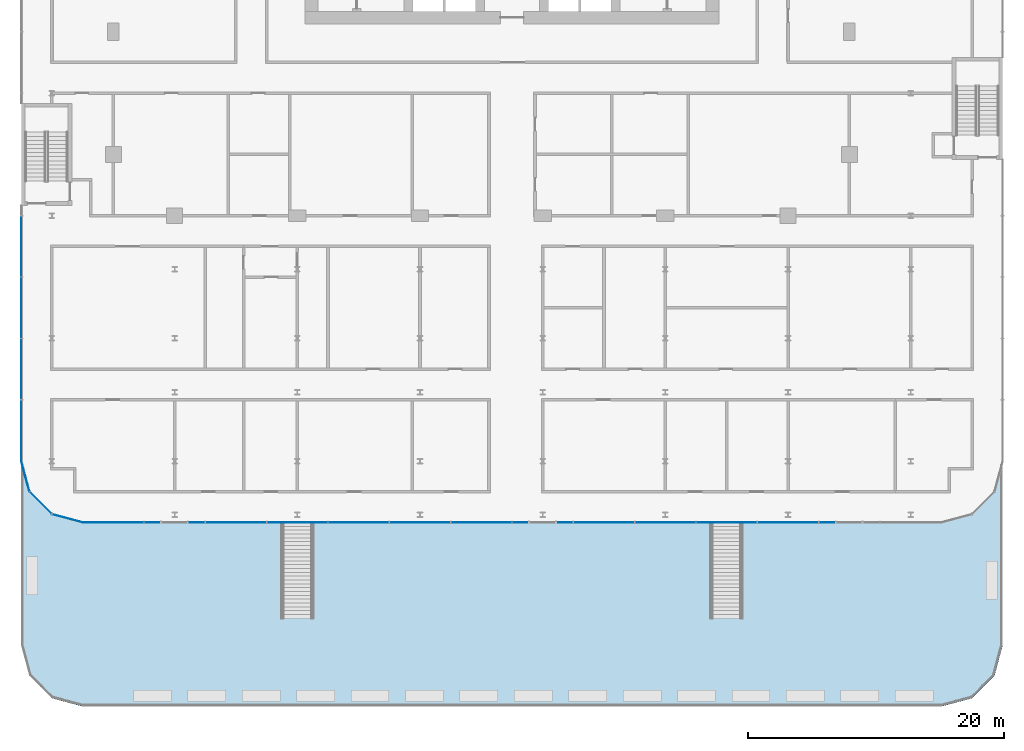
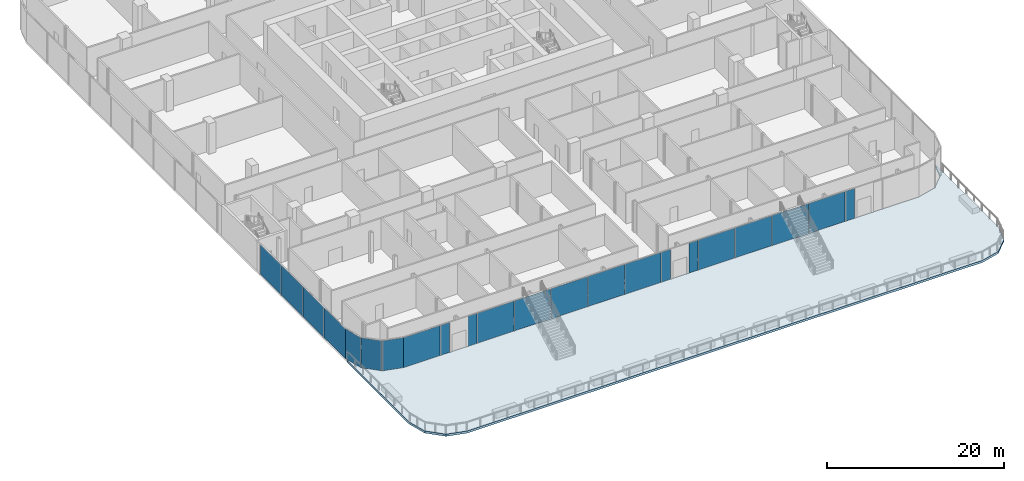
# One storey, part 22 of 43: 22 plates, 1 slab, 3 elements without a shape of their own.
"""IFC4 building model written with IfcOpenShell, lengths in metres."""

from ifc_helpers import new_model, si_unit, direction, frame, origin, origin_2d, place, context, subcontext, project, spatial, polyline, rectangle, outline, extrude, material, layer, layer_set, type_object, element, aggregate, save


model = new_model("IFC4")

# Units and contexts
model_context = context("Model", 3, precision=1e-05, world=origin(), true_north=direction((0.0, 1.0)))
body_context = subcontext(model_context, "Body", "Model", "MODEL_VIEW")
ifc_project = project(units=[si_unit("LENGTHUNIT", "METRE"), si_unit("AREAUNIT", "SQUARE_METRE"), si_unit("VOLUMEUNIT", "CUBIC_METRE"), si_unit("PLANEANGLEUNIT", "RADIAN"), si_unit("MASSUNIT", "GRAM", prefix="KILO")], contexts=[model_context])

# Site, building, storey
site_placement = place(None, origin())
site = spatial("IfcSite", under=ifc_project, at=site_placement, CompositionType="ELEMENT")
building_placement = place(site_placement, origin())
building = spatial("IfcBuilding", under=site, at=building_placement, Name="Madar Terraces", CompositionType="ELEMENT")
storey_placement = place(building_placement, frame((0.0, 0.0, 10.5)))
storey = spatial("IfcBuildingStorey", under=building, at=storey_placement, Name="L02", CompositionType="ELEMENT", Elevation=10.5)

# Curtain wall, plates
ifc_material_1 = material(Name="Glass, clear low-iron, with black aluminium frame", Category="aluminium")
ifc_layer_1 = layer(ifc_material_1, 0.199951171875)
ifc_layer_set_1 = layer_set([ifc_layer_1], Name="Facade curtain wall, shopfront glazing")
curtain_wall_type = type_object("IfcCurtainWallType", Name="Facade curtain wall, shopfront glazing", PredefinedType="NOTDEFINED", material=ifc_layer_set_1)
curtain_wall_1_placement = place(storey_placement, origin())
curtain_wall_1 = element("IfcCurtainWall", 1, at=curtain_wall_1_placement, inside=storey, type_object=curtain_wall_type, Name="Outer skin curtain wall south bay 1", PredefinedType="NOTDEFINED")
ifc_material_2 = material(Name="Glass, ceramic frit dark grey", Category="glass")
ifc_layer_2 = layer(ifc_material_2, 0.028076171875)
ifc_layer_set_2 = layer_set([ifc_layer_2], Name="Facade glass panel 28")
plate_type = type_object("IfcPlateType", Name="Facade glass panel 28", PredefinedType="CURTAIN_PANEL", material=ifc_layer_set_2)
plate_1_placement = place(storey_placement, frame((-0.014892578125, -24.0, 0.0), z_axis=(0.0, 0.0, 1.0), x_axis=(1.0, 0.0, 0.0)))
plate_1 = element("IfcPlate", 2, at=plate_1_placement, type_object=plate_type, Name="Panel 1", PredefinedType="CURTAIN_PANEL", context=body_context, shape_type="SweptSolid", body=[
    extrude(rectangle(XDim=4.77001953125, YDim=0.028076171875, at=origin_2d()), origin(), (0.0, 0.0, 1.0), 4.139892578125),
])
plate_2_placement = place(storey_placement, frame((3.014892578125, -24.0, 0.0), z_axis=(0.0, 0.0, 1.0), x_axis=(1.0, 0.0, 0.0)))
plate_2 = element("IfcPlate", 3, at=plate_2_placement, type_object=plate_type, Name="Panel 2", PredefinedType="CURTAIN_PANEL", context=body_context, shape_type="SweptSolid", body=[
    extrude(rectangle(XDim=1.169921875, YDim=0.028076171875, at=origin_2d()), origin(), (0.0, 0.0, 1.0), 4.139892578125),
])
plate_3_placement = place(storey_placement, frame((6.5849609375, -24.0, 0.0), z_axis=(0.0, 0.0, 1.0), x_axis=(1.0, 0.0, 0.0)))
plate_3 = element("IfcPlate", 4, at=plate_3_placement, type_object=plate_type, Name="Panel 3", PredefinedType="CURTAIN_PANEL", context=body_context, shape_type="SweptSolid", body=[
    extrude(rectangle(XDim=1.169921875, YDim=0.028076171875, at=origin_2d()), origin(), (0.0, 0.0, 1.0), 4.139892578125),
])
plate_4_placement = place(storey_placement, frame((9.60009765625, -24.0, 0.0), z_axis=(0.0, 0.0, 1.0), x_axis=(1.0, 0.0, 0.0)))
plate_4 = element("IfcPlate", 5, at=plate_4_placement, type_object=plate_type, Name="Panel 4", PredefinedType="CURTAIN_PANEL", context=body_context, shape_type="SweptSolid", body=[
    extrude(rectangle(XDim=4.739990234375, YDim=0.028076171875, at=origin_2d()), origin(), (0.0, 0.0, 1.0), 4.139892578125),
])
plate_5_placement = place(storey_placement, frame((14.39990234375, -24.0, 0.0), z_axis=(0.0, 0.0, 1.0), x_axis=(1.0, 0.0, 0.0)))
plate_5 = element("IfcPlate", 6, at=plate_5_placement, type_object=plate_type, Name="Panel 5", PredefinedType="CURTAIN_PANEL", context=body_context, shape_type="SweptSolid", body=[
    extrude(rectangle(XDim=4.739990234375, YDim=0.028076171875, at=origin_2d()), origin(), (0.0, 0.0, 1.0), 4.139892578125),
])
plate_6_placement = place(storey_placement, frame((19.199951171875, -24.0, 0.0), z_axis=(0.0, 0.0, 1.0), x_axis=(1.0, 0.0, 0.0)))
plate_6 = element("IfcPlate", 7, at=plate_6_placement, type_object=plate_type, Name="Panel 6", PredefinedType="CURTAIN_PANEL", context=body_context, shape_type="SweptSolid", body=[
    extrude(rectangle(XDim=4.739990234375, YDim=0.028076171875, at=origin_2d()), origin(), (0.0, 0.0, 1.0), 4.139892578125),
])
plate_7_placement = place(storey_placement, frame((24.0, -24.0, 0.0), z_axis=(0.0, 0.0, 1.0), x_axis=(1.0, 0.0, 0.0)))
plate_7 = element("IfcPlate", 8, at=plate_7_placement, type_object=plate_type, Name="Panel 7", PredefinedType="CURTAIN_PANEL", context=body_context, shape_type="SweptSolid", body=[
    extrude(rectangle(XDim=4.739990234375, YDim=0.028076171875, at=origin_2d()), origin(), (0.0, 0.0, 1.0), 4.139892578125),
])
plate_8_placement = place(storey_placement, frame((28.800048828125, -24.0, 0.0), z_axis=(0.0, 0.0, 1.0), x_axis=(1.0, 0.0, 0.0)))
plate_8 = element("IfcPlate", 9, at=plate_8_placement, type_object=plate_type, Name="Panel 8", PredefinedType="CURTAIN_PANEL", context=body_context, shape_type="SweptSolid", body=[
    extrude(rectangle(XDim=4.739990234375, YDim=0.028076171875, at=origin_2d()), origin(), (0.0, 0.0, 1.0), 4.139892578125),
])
plate_9_placement = place(storey_placement, frame((31.81494140625, -24.0, 0.0), z_axis=(0.0, 0.0, 1.0), x_axis=(1.0, 0.0, 0.0)))
plate_9 = element("IfcPlate", 10, at=plate_9_placement, type_object=plate_type, Name="Panel 9", PredefinedType="CURTAIN_PANEL", context=body_context, shape_type="SweptSolid", body=[
    extrude(rectangle(XDim=1.169921875, YDim=0.028076171875, at=origin_2d()), origin(), (0.0, 0.0, 1.0), 4.139892578125),
])
plate_10_placement = place(storey_placement, frame((35.385009765625, -24.0, 0.0), z_axis=(0.0, 0.0, 1.0), x_axis=(1.0, 0.0, 0.0)))
plate_10 = element("IfcPlate", 11, at=plate_10_placement, type_object=plate_type, Name="Panel 10", PredefinedType="CURTAIN_PANEL", context=body_context, shape_type="SweptSolid", body=[
    extrude(rectangle(XDim=1.169921875, YDim=0.028076171875, at=origin_2d()), origin(), (0.0, 0.0, 1.0), 4.139892578125),
])
plate_11_placement = place(storey_placement, frame((38.39990234375, -24.0, 0.0), z_axis=(0.0, 0.0, 1.0), x_axis=(1.0, 0.0, 0.0)))
plate_11 = element("IfcPlate", 12, at=plate_11_placement, type_object=plate_type, Name="Panel 11", PredefinedType="CURTAIN_PANEL", context=body_context, shape_type="SweptSolid", body=[
    extrude(rectangle(XDim=4.739990234375, YDim=0.028076171875, at=origin_2d()), origin(), (0.0, 0.0, 1.0), 4.139892578125),
])
plate_12_placement = place(storey_placement, frame((43.199951171875, -24.0, 0.0), z_axis=(0.0, 0.0, 1.0), x_axis=(1.0, 0.0, 0.0)))
plate_12 = element("IfcPlate", 13, at=plate_12_placement, type_object=plate_type, Name="Panel 12", PredefinedType="CURTAIN_PANEL", context=body_context, shape_type="SweptSolid", body=[
    extrude(rectangle(XDim=4.739990234375, YDim=0.028076171875, at=origin_2d()), origin(), (0.0, 0.0, 1.0), 4.139892578125),
])
plate_13_placement = place(storey_placement, frame((48.0, -24.0, 0.0), z_axis=(0.0, 0.0, 1.0), x_axis=(1.0, 0.0, 0.0)))
plate_13 = element("IfcPlate", 14, at=plate_13_placement, type_object=plate_type, Name="Panel 13", PredefinedType="CURTAIN_PANEL", context=body_context, shape_type="SweptSolid", body=[
    extrude(rectangle(XDim=4.739990234375, YDim=0.028076171875, at=origin_2d()), origin(), (0.0, 0.0, 1.0), 4.139892578125),
])
plate_14_placement = place(storey_placement, frame((52.800048828125, -24.0, 0.0), z_axis=(0.0, 0.0, 1.0), x_axis=(1.0, 0.0, 0.0)))
plate_14 = element("IfcPlate", 15, at=plate_14_placement, type_object=plate_type, Name="Panel 14", PredefinedType="CURTAIN_PANEL", context=body_context, shape_type="SweptSolid", body=[
    extrude(rectangle(XDim=4.739990234375, YDim=0.028076171875, at=origin_2d()), origin(), (0.0, 0.0, 1.0), 4.139892578125),
])
plate_15_placement = place(storey_placement, frame((55.81494140625, -24.0, 0.0), z_axis=(0.0, 0.0, 1.0), x_axis=(1.0, 0.0, 0.0)))
plate_15 = element("IfcPlate", 16, at=plate_15_placement, type_object=plate_type, Name="Panel 15", PredefinedType="CURTAIN_PANEL", context=body_context, shape_type="SweptSolid", body=[
    extrude(rectangle(XDim=1.169921875, YDim=0.028076171875, at=origin_2d()), origin(), (0.0, 0.0, 1.0), 4.139892578125),
])
aggregate(curtain_wall_1, [plate_1, plate_2, plate_3, plate_4, plate_5, plate_6, plate_7, plate_8, plate_9, plate_10, plate_11, plate_12, plate_13, plate_14, plate_15])

curtain_wall_2_placement = place(storey_placement, origin())
curtain_wall_2 = element("IfcCurtainWall", 17, at=curtain_wall_2_placement, inside=storey, type_object=curtain_wall_type, Name="Outer skin curtain wall west bay 1", PredefinedType="NOTDEFINED")
plate_16_placement = place(storey_placement, frame((-7.199951171875, -2.39990234375, 0.0), z_axis=(0.0, 0.0, 1.0), x_axis=(0.0, -1.0, 0.0)))
plate_16 = element("IfcPlate", 18, at=plate_16_placement, type_object=plate_type, Name="Panel 12", PredefinedType="CURTAIN_PANEL", context=body_context, shape_type="SweptSolid", body=[
    extrude(rectangle(XDim=4.739990234375, YDim=0.028076171875, at=origin_2d()), origin(), (0.0, 0.0, 1.0), 4.139892578125),
])
plate_17_placement = place(storey_placement, frame((-7.199951171875, -7.199951171875, 0.0), z_axis=(0.0, 0.0, 1.0), x_axis=(0.0, -1.0, 0.0)))
plate_17 = element("IfcPlate", 19, at=plate_17_placement, type_object=plate_type, Name="Panel 13", PredefinedType="CURTAIN_PANEL", context=body_context, shape_type="SweptSolid", body=[
    extrude(rectangle(XDim=4.739990234375, YDim=0.028076171875, at=origin_2d()), origin(), (0.0, 0.0, 1.0), 4.139892578125),
])
plate_18_placement = place(storey_placement, frame((-7.199951171875, -12.0, 0.0), z_axis=(0.0, 0.0, 1.0), x_axis=(0.0, -1.0, 0.0)))
plate_18 = element("IfcPlate", 20, at=plate_18_placement, type_object=plate_type, Name="Panel 14", PredefinedType="CURTAIN_PANEL", context=body_context, shape_type="SweptSolid", body=[
    extrude(rectangle(XDim=4.739990234375, YDim=0.028076171875, at=origin_2d()), origin(), (0.0, 0.0, 1.0), 4.139892578125),
])
plate_19_placement = place(storey_placement, frame((-7.199951171875, -16.81494140625, 0.0), z_axis=(0.0, 0.0, 1.0), x_axis=(0.0, -1.0, 0.0)))
plate_19 = element("IfcPlate", 21, at=plate_19_placement, type_object=plate_type, Name="Panel 15", PredefinedType="CURTAIN_PANEL", context=body_context, shape_type="SweptSolid", body=[
    extrude(rectangle(XDim=4.77001953125, YDim=0.028076171875, at=origin_2d()), origin(), (0.0, 0.0, 1.0), 4.139892578125),
])
aggregate(curtain_wall_2, [plate_16, plate_17, plate_18, plate_19])

curtain_wall_3_placement = place(storey_placement, origin())
curtain_wall_3 = element("IfcCurtainWall", 22, at=curtain_wall_3_placement, inside=storey, type_object=curtain_wall_type, Name="Outer skin curtain wall south-west corner", PredefinedType="NOTDEFINED")
plate_20_placement = place(storey_placement, frame((-6.88232421875, -20.385498046875, 0.0), z_axis=(0.0, 0.0, 1.0), x_axis=(0.258819021888, -0.965925832509, 0.0)))
plate_20 = element("IfcPlate", 23, at=plate_20_placement, type_object=plate_type, Name="Panel 1", PredefinedType="CURTAIN_PANEL", context=body_context, shape_type="SweptSolid", body=[
    extrude(rectangle(XDim=2.45458984375, YDim=0.028076171875, at=origin_2d()), origin(), (0.0, 0.0, 1.0), 4.139892578125),
])
plate_21_placement = place(storey_placement, frame((-5.678466796875, -22.478515625, 0.0), z_axis=(0.0, 0.0, 1.0), x_axis=(0.707106781187, -0.707106781187, 0.0)))
plate_21 = element("IfcPlate", 24, at=plate_21_placement, type_object=plate_type, Name="Panel 2", PredefinedType="CURTAIN_PANEL", context=body_context, shape_type="SweptSolid", body=[
    extrude(rectangle(XDim=2.424560546875, YDim=0.028076171875, at=origin_2d()), origin(), (0.0, 0.0, 1.0), 4.139892578125),
])
plate_22_placement = place(storey_placement, frame((-3.58544921875, -23.682373046875, 0.0), z_axis=(0.0, 0.0, 1.0), x_axis=(0.965925832509, -0.258819021888, 0.0)))
plate_22 = element("IfcPlate", 25, at=plate_22_placement, type_object=plate_type, Name="Panel 3", PredefinedType="CURTAIN_PANEL", context=body_context, shape_type="SweptSolid", body=[
    extrude(rectangle(XDim=2.45458984375, YDim=0.028076171875, at=origin_2d()), origin(), (0.0, 0.0, 1.0), 4.139892578125),
])
aggregate(curtain_wall_3, [plate_20, plate_21, plate_22])

# Slab
ifc_material_3 = material(Name="Concrete C50/60", Category="concrete")
ifc_layer_3 = layer(ifc_material_3, 0.300048828125)
ifc_layer_set_3 = layer_set([ifc_layer_3], Name="TS2 PT terrace slab 300")
slab_type = type_object("IfcSlabType", Name="TS2 PT terrace slab 300", PredefinedType="FLOOR", material=ifc_layer_set_3)
slab_placement = place(storey_placement, frame((0.0, 0.0, -0.300048828125)))
element("IfcSlab", 26, at=slab_placement, inside=storey, type_object=slab_type, Name="Terrace roof slab L02 (1)", PredefinedType="FLOOR", context=body_context, shape_type="SweptSolid", body=[
    extrude(outline(polyline([(-6.557373046875, -21.5986328125), (-7.101806640625, -19.56689453125), (-7.103271484375, -19.56201171875), (-7.105224609375, -19.5576171875), (-7.107666015625, -19.55322265625), (-7.1103515625, -19.549072265625), (-7.11376953125, -19.54541015625), (-7.1171875, -19.5419921875), (-7.12109375, -19.538818359375), (-7.12548828125, -19.536376953125), (-7.1298828125, -19.533935546875), (-7.134521484375, -19.5322265625), (-7.13916015625, -19.531005859375), (-7.14404296875, -19.530029296875), (-7.149169921875, -19.52978515625), (-7.154052734375, -19.530029296875), (-7.158935546875, -19.530517578125), (-7.163818359375, -19.53173828125), (-7.16845703125, -19.533447265625), (-7.173095703125, -19.535400390625), (-7.17724609375, -19.537841796875), (-7.181396484375, -19.540771484375), (-7.18505859375, -19.544189453125), (-7.1884765625, -19.5478515625), (-7.19140625, -19.5517578125), (-7.19384765625, -19.555908203125), (-7.196044921875, -19.560546875), (-7.19775390625, -19.565185546875), (-7.198974609375, -19.56982421875), (-7.19970703125, -19.574951171875), (-7.199951171875, -19.579833984375), (-7.199951171875, -33.593505859375), (-7.19970703125, -33.59765625), (-7.19921875, -33.60205078125), (-7.1982421875, -33.6064453125), (-6.560302734375, -35.987060546875), (-6.558837890625, -35.991943359375), (-6.556640625, -35.996826171875), (-6.553955078125, -36.00146484375), (-6.551025390625, -36.005615234375), (-6.54736328125, -36.009521484375), (-4.8095703125, -37.74755859375), (-4.8056640625, -37.7509765625), (-4.80126953125, -37.75390625), (-4.796875, -37.756591796875), (-4.7919921875, -37.7587890625), (-4.787109375, -37.760498046875), (-2.40625, -38.398193359375), (-2.402099609375, -38.399169921875), (-2.397705078125, -38.39990234375), (-2.393310546875, -38.39990234375), (64.79345703125, -38.39990234375), (64.7978515625, -38.39990234375), (64.802001953125, -38.399169921875), (64.806396484375, -38.398193359375), (67.18701171875, -37.760498046875), (67.192138671875, -37.7587890625), (67.19677734375, -37.756591796875), (67.201416015625, -37.75390625), (67.20556640625, -37.7509765625), (67.20947265625, -37.74755859375), (68.947509765625, -36.009521484375), (68.950927734375, -36.005615234375), (68.9541015625, -36.00146484375), (68.95654296875, -35.996826171875), (68.958740234375, -35.991943359375), (68.96044921875, -35.987060546875), (69.598388671875, -33.6064453125), (69.59912109375, -33.60205078125), (69.599853515625, -33.59765625), (69.60009765625, -33.593505859375), (69.60009765625, -19.579833984375), (69.599853515625, -19.574951171875), (69.59912109375, -19.56982421875), (69.597900390625, -19.565185546875), (69.59619140625, -19.560546875), (69.593994140625, -19.555908203125), (69.59130859375, -19.5517578125), (69.58837890625, -19.5478515625), (69.5849609375, -19.544189453125), (69.581298828125, -19.540771484375), (69.577392578125, -19.537841796875), (69.572998046875, -19.535400390625), (69.568603515625, -19.533447265625), (69.563720703125, -19.53173828125), (69.55908203125, -19.530517578125), (69.553955078125, -19.530029296875), (69.549072265625, -19.52978515625), (69.544189453125, -19.530029296875), (69.539306640625, -19.531005859375), (69.534423828125, -19.5322265625), (69.52978515625, -19.533935546875), (69.525390625, -19.536376953125), (69.521240234375, -19.538818359375), (69.517333984375, -19.5419921875), (69.513671875, -19.54541015625), (69.510498046875, -19.549072265625), (69.507568359375, -19.55322265625), (69.505126953125, -19.5576171875), (69.503173828125, -19.56201171875), (69.501708984375, -19.56689453125), (68.957275390625, -21.5986328125), (68.956787109375, -21.599853515625), (68.9560546875, -21.600830078125), (67.200927734375, -23.35595703125), (67.199951171875, -23.35693359375), (67.19873046875, -23.357177734375), (64.801025390625, -23.999755859375), (64.800048828125, -24.0), (64.798828125, -24.0), (-2.39892578125, -24.0), (-2.39990234375, -24.0), (-2.401123046875, -23.999755859375), (-4.798828125, -23.357177734375), (-4.800048828125, -23.35693359375), (-4.801025390625, -23.35595703125), (-6.555908203125, -21.600830078125), (-6.556884765625, -21.599853515625), (-6.557373046875, -21.5986328125)])), origin(), (0.0, 0.0, 1.0), 0.300048828125),
])

save(model, "model.ifc")
